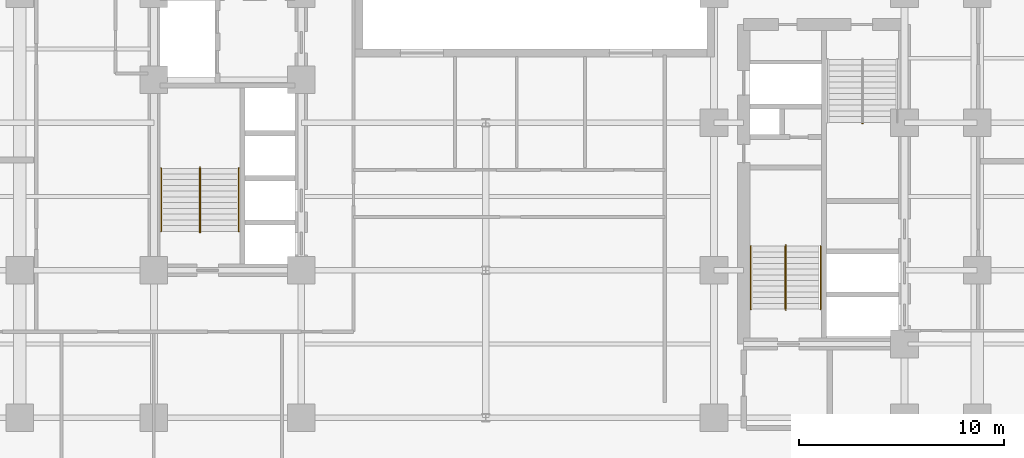
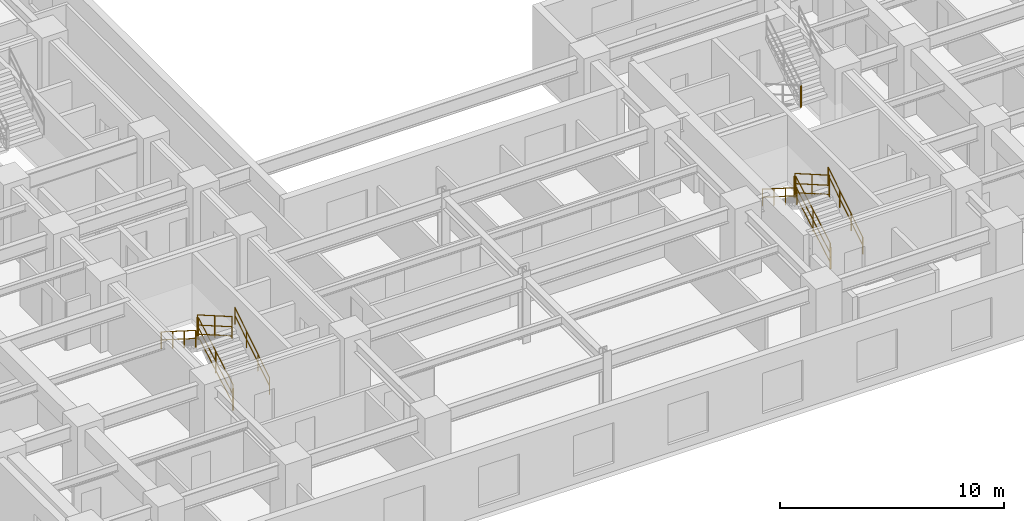
# One storey, part 8 of 10: 13 railings.
"""IFC4 building model written with IfcOpenShell, lengths in metres."""

from ifc_helpers import new_model, entity, si_unit, converted_unit, direction, frame, origin_with_axes, origin_2d_with_axis, place, context, subcontext, project, spatial, rectangle, circle, extrude, material, type_object, element, save


model = new_model("IFC4")

# Units and contexts
model_context = context("Model", 3, precision=1e-05, world=origin_with_axes(), true_north=direction((0.0, 1.0)))
body_context = subcontext(model_context, "Body", "Model", "MODEL_VIEW")
ifc_project = project(units=[si_unit("LENGTHUNIT", "METRE"), si_unit("AREAUNIT", "SQUARE_METRE"), si_unit("VOLUMEUNIT", "CUBIC_METRE"), converted_unit("PLANEANGLEUNIT", "DEGREE", entity("IfcPlaneAngleMeasure", 0.017453292519943295), si_unit("PLANEANGLEUNIT", "RADIAN"), dimensions=[0, 0, 0, 0, 0, 0, 0]), si_unit("MASSUNIT", "GRAM", prefix="KILO"), si_unit("THERMODYNAMICTEMPERATUREUNIT", "KELVIN")], contexts=[model_context])

# Site, building, storey
site_placement = place(None, origin_with_axes())
site = spatial("IfcSite", under=ifc_project, at=site_placement, CompositionType="ELEMENT")
building_placement = place(site_placement, origin_with_axes())
building = spatial("IfcBuilding", under=site, at=building_placement, Name="Varnlund Millrace Tower", CompositionType="ELEMENT")
storey_placement = place(building_placement, frame((0.0, 0.0, 75.6), z_axis=(0.0, 0.0, 1.0), x_axis=(1.0, 0.0, 0.0)))
storey = spatial("IfcBuildingStorey", under=building, at=storey_placement, Name="L18", CompositionType="ELEMENT", Elevation=75.6)

# Railings
ifc_material_1 = material(Name="Painted steel stair well balustrade guard", Category="steel")
railing_type_1 = type_object("IfcRailingType", Name="Type-StairGuard-1150", PredefinedType="GUARDRAIL", material=ifc_material_1)
railing_1_placement = place(storey_placement, frame((0.0, 0.0, -75.6), z_axis=(0.0, 0.0, 1.0), x_axis=(1.0, 0.0, 0.0)))
element("IfcRailing", 1, at=railing_1_placement, inside=storey, type_object=railing_type_1, Name="Type-StairGuard-1150", PredefinedType="GUARDRAIL", context=body_context, shape_type="SweptSolid", body=[
    extrude(circle(Radius=0.024, at=origin_2d_with_axis()), frame((13.675, 12.7, 76.927273), z_axis=(0.0, 0.866696, 0.498836), x_axis=(-1.0, 0.0, 0.0)), (0.0, 0.0, 1.0), 3.553725),
    extrude(circle(Radius=0.024, at=origin_2d_with_axis()), frame((13.675, 12.7, 75.877273), z_axis=(0.0, 0.866696, 0.498836), x_axis=(-1.0, 0.0, 0.0)), (0.0, 0.0, 1.0), 3.553725),
    extrude(circle(Radius=0.024, at=origin_2d_with_axis()), frame((13.675, 12.7, 76.375273), z_axis=(0.0, 0.866696, 0.498836), x_axis=(-1.0, 0.0, 0.0)), (0.0, 0.0, 1.0), 3.553725),
    extrude(rectangle(XDim=0.04, YDim=0.04, at=origin_2d_with_axis()), frame((13.675, 12.7, 75.737273), z_axis=(0.0, 0.0, 1.0), x_axis=(1.0, 0.0, 0.0)), (0.0, 0.0, 1.0), 1.19),
    extrude(rectangle(XDim=0.04, YDim=0.04, at=origin_2d_with_axis()), frame((13.675, 14.24, 76.623636), z_axis=(0.0, 0.0, 1.0), x_axis=(1.0, 0.0, 0.0)), (0.0, 0.0, 1.0), 1.19),
    extrude(rectangle(XDim=0.04, YDim=0.04, at=origin_2d_with_axis()), frame((13.675, 15.78, 77.51), z_axis=(0.0, 0.0, 1.0), x_axis=(1.0, 0.0, 0.0)), (0.0, 0.0, 1.0), 1.19),
])
railing_2_placement = place(storey_placement, frame((0.0, 0.0, -75.6), z_axis=(0.0, 0.0, 1.0), x_axis=(1.0, 0.0, 0.0)))
element("IfcRailing", 2, at=railing_2_placement, inside=storey, type_object=railing_type_1, Name="Type-StairGuard-1150", PredefinedType="GUARDRAIL", context=body_context, shape_type="SweptSolid", body=[
    extrude(circle(Radius=0.024, at=origin_2d_with_axis()), frame((13.625, 15.83, 78.7), z_axis=(1.0, 0.0, 0.0), x_axis=(0.0, 1.0, 0.0)), (0.0, 0.0, 1.0), 0.05),
    extrude(circle(Radius=0.024, at=origin_2d_with_axis()), frame((13.625, 15.83, 77.65), z_axis=(1.0, 0.0, 0.0), x_axis=(0.0, 1.0, 0.0)), (0.0, 0.0, 1.0), 0.05),
    extrude(circle(Radius=0.024, at=origin_2d_with_axis()), frame((13.625, 15.83, 78.148), z_axis=(1.0, 0.0, 0.0), x_axis=(0.0, 1.0, 0.0)), (0.0, 0.0, 1.0), 0.05),
    extrude(rectangle(XDim=0.04, YDim=0.04, at=origin_2d_with_axis()), frame((13.625, 15.83, 77.51), z_axis=(0.0, 0.0, 1.0), x_axis=(1.0, 0.0, 0.0)), (0.0, 0.0, 1.0), 1.19),
    extrude(rectangle(XDim=0.04, YDim=0.04, at=origin_2d_with_axis()), frame((13.675, 15.83, 77.51), z_axis=(0.0, 0.0, 1.0), x_axis=(1.0, 0.0, 0.0)), (0.0, 0.0, 1.0), 1.19),
])
railing_3_placement = place(storey_placement, frame((0.0, 0.0, -75.6), z_axis=(0.0, 0.0, 1.0), x_axis=(1.0, 0.0, 0.0)))
element("IfcRailing", 3, at=railing_3_placement, inside=storey, type_object=railing_type_1, Name="Type-StairGuard-1150", PredefinedType="GUARDRAIL", context=body_context, shape_type="SweptSolid", body=[
    extrude(circle(Radius=0.024, at=origin_2d_with_axis()), frame((13.625, 15.78, 78.877273), z_axis=(0.0, -0.866696, 0.498836), x_axis=(1.0, 0.0, 0.0)), (0.0, 0.0, 1.0), 3.553725),
    extrude(circle(Radius=0.024, at=origin_2d_with_axis()), frame((13.625, 15.78, 77.827273), z_axis=(0.0, -0.866696, 0.498836), x_axis=(1.0, 0.0, 0.0)), (0.0, 0.0, 1.0), 3.553725),
    extrude(circle(Radius=0.024, at=origin_2d_with_axis()), frame((13.625, 15.78, 78.325273), z_axis=(0.0, -0.866696, 0.498836), x_axis=(1.0, 0.0, 0.0)), (0.0, 0.0, 1.0), 3.553725),
    extrude(rectangle(XDim=0.04, YDim=0.04, at=origin_2d_with_axis()), frame((13.625, 15.78, 77.687273), z_axis=(0.0, 0.0, 1.0), x_axis=(1.0, 0.0, 0.0)), (0.0, 0.0, 1.0), 1.19),
    extrude(rectangle(XDim=0.04, YDim=0.04, at=origin_2d_with_axis()), frame((13.625, 14.24, 78.573636), z_axis=(0.0, 0.0, 1.0), x_axis=(1.0, 0.0, 0.0)), (0.0, 0.0, 1.0), 1.19),
    extrude(rectangle(XDim=0.04, YDim=0.04, at=origin_2d_with_axis()), frame((13.625, 12.7, 79.46), z_axis=(0.0, 0.0, 1.0), x_axis=(1.0, 0.0, 0.0)), (0.0, 0.0, 1.0), 1.19),
])
railing_4_placement = place(storey_placement, frame((0.0, 0.0, -75.6), z_axis=(0.0, 0.0, 1.0), x_axis=(1.0, 0.0, 0.0)))
element("IfcRailing", 4, at=railing_4_placement, inside=storey, type_object=railing_type_1, Name="Type-StairGuard-1150", PredefinedType="GUARDRAIL", context=body_context, shape_type="SweptSolid", body=[
    extrude(circle(Radius=0.024, at=origin_2d_with_axis()), frame((13.625, 12.65, 76.75), z_axis=(1.0, 0.0, 0.0), x_axis=(0.0, 1.0, 0.0)), (0.0, 0.0, 1.0), 0.05),
    extrude(circle(Radius=0.024, at=origin_2d_with_axis()), frame((13.625, 12.65, 75.7), z_axis=(1.0, 0.0, 0.0), x_axis=(0.0, 1.0, 0.0)), (0.0, 0.0, 1.0), 0.05),
    extrude(circle(Radius=0.024, at=origin_2d_with_axis()), frame((13.625, 12.65, 76.198), z_axis=(1.0, 0.0, 0.0), x_axis=(0.0, 1.0, 0.0)), (0.0, 0.0, 1.0), 0.05),
    extrude(rectangle(XDim=0.04, YDim=0.04, at=origin_2d_with_axis()), frame((13.625, 12.65, 75.56), z_axis=(0.0, 0.0, 1.0), x_axis=(1.0, 0.0, 0.0)), (0.0, 0.0, 1.0), 1.19),
    extrude(rectangle(XDim=0.04, YDim=0.04, at=origin_2d_with_axis()), frame((13.675, 12.65, 75.56), z_axis=(0.0, 0.0, 1.0), x_axis=(1.0, 0.0, 0.0)), (0.0, 0.0, 1.0), 1.19),
])
railing_5_placement = place(storey_placement, frame((0.0, 0.0, -75.6), z_axis=(0.0, 0.0, 1.0), x_axis=(1.0, 0.0, 0.0)))
element("IfcRailing", 5, at=railing_5_placement, inside=storey, type_object=railing_type_1, Name="Type-StairGuard-1150", PredefinedType="GUARDRAIL", context=body_context, shape_type="SweptSolid", body=[
    extrude(circle(Radius=0.024, at=origin_2d_with_axis()), frame((42.275, 8.9, 76.927273), z_axis=(0.0, 0.866696, 0.498836), x_axis=(-1.0, 0.0, 0.0)), (0.0, 0.0, 1.0), 3.553725),
    extrude(circle(Radius=0.024, at=origin_2d_with_axis()), frame((42.275, 8.9, 75.877273), z_axis=(0.0, 0.866696, 0.498836), x_axis=(-1.0, 0.0, 0.0)), (0.0, 0.0, 1.0), 3.553725),
    extrude(circle(Radius=0.024, at=origin_2d_with_axis()), frame((42.275, 8.9, 76.375273), z_axis=(0.0, 0.866696, 0.498836), x_axis=(-1.0, 0.0, 0.0)), (0.0, 0.0, 1.0), 3.553725),
    extrude(rectangle(XDim=0.04, YDim=0.04, at=origin_2d_with_axis()), frame((42.275, 8.9, 75.737273), z_axis=(0.0, 0.0, 1.0), x_axis=(1.0, 0.0, 0.0)), (0.0, 0.0, 1.0), 1.19),
    extrude(rectangle(XDim=0.04, YDim=0.04, at=origin_2d_with_axis()), frame((42.275, 10.44, 76.623636), z_axis=(0.0, 0.0, 1.0), x_axis=(1.0, 0.0, 0.0)), (0.0, 0.0, 1.0), 1.19),
    extrude(rectangle(XDim=0.04, YDim=0.04, at=origin_2d_with_axis()), frame((42.275, 11.98, 77.51), z_axis=(0.0, 0.0, 1.0), x_axis=(1.0, 0.0, 0.0)), (0.0, 0.0, 1.0), 1.19),
])
railing_6_placement = place(storey_placement, frame((0.0, 0.0, -75.6), z_axis=(0.0, 0.0, 1.0), x_axis=(1.0, 0.0, 0.0)))
element("IfcRailing", 6, at=railing_6_placement, inside=storey, type_object=railing_type_1, Name="Type-StairGuard-1150", PredefinedType="GUARDRAIL", context=body_context, shape_type="SweptSolid", body=[
    extrude(circle(Radius=0.024, at=origin_2d_with_axis()), frame((42.225, 12.03, 78.7), z_axis=(1.0, 0.0, 0.0), x_axis=(0.0, 1.0, 0.0)), (0.0, 0.0, 1.0), 0.05),
    extrude(circle(Radius=0.024, at=origin_2d_with_axis()), frame((42.225, 12.03, 77.65), z_axis=(1.0, 0.0, 0.0), x_axis=(0.0, 1.0, 0.0)), (0.0, 0.0, 1.0), 0.05),
    extrude(circle(Radius=0.024, at=origin_2d_with_axis()), frame((42.225, 12.03, 78.148), z_axis=(1.0, 0.0, 0.0), x_axis=(0.0, 1.0, 0.0)), (0.0, 0.0, 1.0), 0.05),
    extrude(rectangle(XDim=0.04, YDim=0.04, at=origin_2d_with_axis()), frame((42.225, 12.03, 77.51), z_axis=(0.0, 0.0, 1.0), x_axis=(1.0, 0.0, 0.0)), (0.0, 0.0, 1.0), 1.19),
    extrude(rectangle(XDim=0.04, YDim=0.04, at=origin_2d_with_axis()), frame((42.275, 12.03, 77.51), z_axis=(0.0, 0.0, 1.0), x_axis=(1.0, 0.0, 0.0)), (0.0, 0.0, 1.0), 1.19),
])
railing_7_placement = place(storey_placement, frame((0.0, 0.0, -75.6), z_axis=(0.0, 0.0, 1.0), x_axis=(1.0, 0.0, 0.0)))
element("IfcRailing", 7, at=railing_7_placement, inside=storey, type_object=railing_type_1, Name="Type-StairGuard-1150", PredefinedType="GUARDRAIL", context=body_context, shape_type="SweptSolid", body=[
    extrude(circle(Radius=0.024, at=origin_2d_with_axis()), frame((42.225, 11.98, 78.877273), z_axis=(0.0, -0.866696, 0.498836), x_axis=(1.0, 0.0, 0.0)), (0.0, 0.0, 1.0), 3.553725),
    extrude(circle(Radius=0.024, at=origin_2d_with_axis()), frame((42.225, 11.98, 77.827273), z_axis=(0.0, -0.866696, 0.498836), x_axis=(1.0, 0.0, 0.0)), (0.0, 0.0, 1.0), 3.553725),
    extrude(circle(Radius=0.024, at=origin_2d_with_axis()), frame((42.225, 11.98, 78.325273), z_axis=(0.0, -0.866696, 0.498836), x_axis=(1.0, 0.0, 0.0)), (0.0, 0.0, 1.0), 3.553725),
    extrude(rectangle(XDim=0.04, YDim=0.04, at=origin_2d_with_axis()), frame((42.225, 11.98, 77.687273), z_axis=(0.0, 0.0, 1.0), x_axis=(1.0, 0.0, 0.0)), (0.0, 0.0, 1.0), 1.19),
    extrude(rectangle(XDim=0.04, YDim=0.04, at=origin_2d_with_axis()), frame((42.225, 10.44, 78.573636), z_axis=(0.0, 0.0, 1.0), x_axis=(1.0, 0.0, 0.0)), (0.0, 0.0, 1.0), 1.19),
    extrude(rectangle(XDim=0.04, YDim=0.04, at=origin_2d_with_axis()), frame((42.225, 8.9, 79.46), z_axis=(0.0, 0.0, 1.0), x_axis=(1.0, 0.0, 0.0)), (0.0, 0.0, 1.0), 1.19),
])
railing_8_placement = place(storey_placement, frame((0.0, 0.0, -75.6), z_axis=(0.0, 0.0, 1.0), x_axis=(1.0, 0.0, 0.0)))
element("IfcRailing", 8, at=railing_8_placement, inside=storey, type_object=railing_type_1, Name="Type-StairGuard-1150", PredefinedType="GUARDRAIL", context=body_context, shape_type="SweptSolid", body=[
    extrude(circle(Radius=0.024, at=origin_2d_with_axis()), frame((42.225, 8.85, 76.75), z_axis=(1.0, 0.0, 0.0), x_axis=(0.0, 1.0, 0.0)), (0.0, 0.0, 1.0), 0.05),
    extrude(circle(Radius=0.024, at=origin_2d_with_axis()), frame((42.225, 8.85, 75.7), z_axis=(1.0, 0.0, 0.0), x_axis=(0.0, 1.0, 0.0)), (0.0, 0.0, 1.0), 0.05),
    extrude(circle(Radius=0.024, at=origin_2d_with_axis()), frame((42.225, 8.85, 76.198), z_axis=(1.0, 0.0, 0.0), x_axis=(0.0, 1.0, 0.0)), (0.0, 0.0, 1.0), 0.05),
    extrude(rectangle(XDim=0.04, YDim=0.04, at=origin_2d_with_axis()), frame((42.225, 8.85, 75.56), z_axis=(0.0, 0.0, 1.0), x_axis=(1.0, 0.0, 0.0)), (0.0, 0.0, 1.0), 1.19),
    extrude(rectangle(XDim=0.04, YDim=0.04, at=origin_2d_with_axis()), frame((42.275, 8.85, 75.56), z_axis=(0.0, 0.0, 1.0), x_axis=(1.0, 0.0, 0.0)), (0.0, 0.0, 1.0), 1.19),
])
railing_9_placement = place(storey_placement, frame((0.0, 0.0, -75.6), z_axis=(0.0, 0.0, 1.0), x_axis=(1.0, 0.0, 0.0)))
element("IfcRailing", 9, at=railing_9_placement, inside=storey, type_object=railing_type_1, Name="Type-StairGuard-1150", PredefinedType="GUARDRAIL", context=body_context, shape_type="SweptSolid", body=[
    extrude(circle(Radius=0.024, at=origin_2d_with_axis()), frame((46.025, 17.97, 78.7), z_axis=(-1.0, 0.0, 0.0), x_axis=(0.0, -1.0, 0.0)), (0.0, 0.0, 1.0), 0.05),
    extrude(circle(Radius=0.024, at=origin_2d_with_axis()), frame((46.025, 17.97, 77.65), z_axis=(-1.0, 0.0, 0.0), x_axis=(0.0, -1.0, 0.0)), (0.0, 0.0, 1.0), 0.05),
    extrude(circle(Radius=0.024, at=origin_2d_with_axis()), frame((46.025, 17.97, 78.148), z_axis=(-1.0, 0.0, 0.0), x_axis=(0.0, -1.0, 0.0)), (0.0, 0.0, 1.0), 0.05),
    extrude(rectangle(XDim=0.04, YDim=0.04, at=origin_2d_with_axis()), frame((46.025, 17.97, 77.51), z_axis=(0.0, 0.0, 1.0), x_axis=(1.0, 0.0, 0.0)), (0.0, 0.0, 1.0), 1.19),
    extrude(rectangle(XDim=0.04, YDim=0.04, at=origin_2d_with_axis()), frame((45.975, 17.97, 77.51), z_axis=(0.0, 0.0, 1.0), x_axis=(1.0, 0.0, 0.0)), (0.0, 0.0, 1.0), 1.19),
])
ifc_material_2 = material(Name="Brushed architectural bronze stair handrail", Category="aluminium")
railing_type_2 = type_object("IfcRailingType", Name="Type-StairHandrail-900", PredefinedType="HANDRAIL", material=ifc_material_2)
railing_10_placement = place(storey_placement, frame((0.0, 0.0, -75.6), z_axis=(0.0, 0.0, 1.0), x_axis=(1.0, 0.0, 0.0)))
element("IfcRailing", 10, at=railing_10_placement, inside=storey, type_object=railing_type_2, Name="Type-StairHandrail-900", PredefinedType="HANDRAIL", context=body_context, shape_type="SweptSolid", body=[
    extrude(circle(Radius=0.024, at=origin_2d_with_axis()), frame((15.55, 12.7, 76.656995), z_axis=(0.0, 0.844902, 0.534922), x_axis=(-1.0, 0.0, 0.0)), (0.0, 0.0, 1.0), 3.645394),
    extrude(circle(Radius=0.024, at=origin_2d_with_axis()), frame((15.55, 12.7, 76.217134), z_axis=(0.0, 0.844902, 0.534922), x_axis=(-1.0, 0.0, 0.0)), (0.0, 0.0, 1.0), 3.645394),
    extrude(rectangle(XDim=0.04, YDim=0.04, at=origin_2d_with_axis()), frame((15.55, 12.7, 75.737273), z_axis=(0.0, 0.0, 1.0), x_axis=(1.0, 0.0, 0.0)), (0.0, 0.0, 1.0), 0.919722),
    extrude(rectangle(XDim=0.04, YDim=0.04, at=origin_2d_with_axis()), frame((15.55, 13.726667, 76.387273), z_axis=(0.0, 0.0, 1.0), x_axis=(1.0, 0.0, 0.0)), (0.0, 0.0, 1.0), 0.919722),
    extrude(rectangle(XDim=0.04, YDim=0.04, at=origin_2d_with_axis()), frame((15.55, 14.753333, 77.037273), z_axis=(0.0, 0.0, 1.0), x_axis=(1.0, 0.0, 0.0)), (0.0, 0.0, 1.0), 0.919722),
    extrude(rectangle(XDim=0.04, YDim=0.04, at=origin_2d_with_axis()), frame((15.55, 15.78, 77.687273), z_axis=(0.0, 0.0, 1.0), x_axis=(1.0, 0.0, 0.0)), (0.0, 0.0, 1.0), 0.919722),
])
railing_11_placement = place(storey_placement, frame((0.0, 0.0, -75.6), z_axis=(0.0, 0.0, 1.0), x_axis=(1.0, 0.0, 0.0)))
element("IfcRailing", 11, at=railing_11_placement, inside=storey, type_object=railing_type_2, Name="Type-StairHandrail-900", PredefinedType="HANDRAIL", context=body_context, shape_type="SweptSolid", body=[
    extrude(circle(Radius=0.024, at=origin_2d_with_axis()), frame((11.75, 15.78, 78.606995), z_axis=(0.0, -0.844902, 0.534922), x_axis=(1.0, 0.0, 0.0)), (0.0, 0.0, 1.0), 3.645394),
    extrude(circle(Radius=0.024, at=origin_2d_with_axis()), frame((11.75, 15.78, 78.167134), z_axis=(0.0, -0.844902, 0.534922), x_axis=(1.0, 0.0, 0.0)), (0.0, 0.0, 1.0), 3.645394),
    extrude(rectangle(XDim=0.04, YDim=0.04, at=origin_2d_with_axis()), frame((11.75, 15.78, 77.687273), z_axis=(0.0, 0.0, 1.0), x_axis=(1.0, 0.0, 0.0)), (0.0, 0.0, 1.0), 0.919722),
    extrude(rectangle(XDim=0.04, YDim=0.04, at=origin_2d_with_axis()), frame((11.75, 14.753333, 78.337273), z_axis=(0.0, 0.0, 1.0), x_axis=(1.0, 0.0, 0.0)), (0.0, 0.0, 1.0), 0.919722),
    extrude(rectangle(XDim=0.04, YDim=0.04, at=origin_2d_with_axis()), frame((11.75, 13.726667, 78.987273), z_axis=(0.0, 0.0, 1.0), x_axis=(1.0, 0.0, 0.0)), (0.0, 0.0, 1.0), 0.919722),
    extrude(rectangle(XDim=0.04, YDim=0.04, at=origin_2d_with_axis()), frame((11.75, 12.7, 79.637273), z_axis=(0.0, 0.0, 1.0), x_axis=(1.0, 0.0, 0.0)), (0.0, 0.0, 1.0), 0.919722),
])
railing_12_placement = place(storey_placement, frame((0.0, 0.0, -75.6), z_axis=(0.0, 0.0, 1.0), x_axis=(1.0, 0.0, 0.0)))
element("IfcRailing", 12, at=railing_12_placement, inside=storey, type_object=railing_type_2, Name="Type-StairHandrail-900", PredefinedType="HANDRAIL", context=body_context, shape_type="SweptSolid", body=[
    extrude(circle(Radius=0.024, at=origin_2d_with_axis()), frame((43.95, 8.9, 76.656995), z_axis=(0.0, 0.844902, 0.534922), x_axis=(-1.0, 0.0, 0.0)), (0.0, 0.0, 1.0), 3.645394),
    extrude(circle(Radius=0.024, at=origin_2d_with_axis()), frame((43.95, 8.9, 76.217134), z_axis=(0.0, 0.844902, 0.534922), x_axis=(-1.0, 0.0, 0.0)), (0.0, 0.0, 1.0), 3.645394),
    extrude(rectangle(XDim=0.04, YDim=0.04, at=origin_2d_with_axis()), frame((43.95, 8.9, 75.737273), z_axis=(0.0, 0.0, 1.0), x_axis=(1.0, 0.0, 0.0)), (0.0, 0.0, 1.0), 0.919722),
    extrude(rectangle(XDim=0.04, YDim=0.04, at=origin_2d_with_axis()), frame((43.95, 9.926667, 76.387273), z_axis=(0.0, 0.0, 1.0), x_axis=(1.0, 0.0, 0.0)), (0.0, 0.0, 1.0), 0.919722),
    extrude(rectangle(XDim=0.04, YDim=0.04, at=origin_2d_with_axis()), frame((43.95, 10.953333, 77.037273), z_axis=(0.0, 0.0, 1.0), x_axis=(1.0, 0.0, 0.0)), (0.0, 0.0, 1.0), 0.919722),
    extrude(rectangle(XDim=0.04, YDim=0.04, at=origin_2d_with_axis()), frame((43.95, 11.98, 77.687273), z_axis=(0.0, 0.0, 1.0), x_axis=(1.0, 0.0, 0.0)), (0.0, 0.0, 1.0), 0.919722),
])
railing_13_placement = place(storey_placement, frame((0.0, 0.0, -75.6), z_axis=(0.0, 0.0, 1.0), x_axis=(1.0, 0.0, 0.0)))
element("IfcRailing", 13, at=railing_13_placement, inside=storey, type_object=railing_type_2, Name="Type-StairHandrail-900", PredefinedType="HANDRAIL", context=body_context, shape_type="SweptSolid", body=[
    extrude(circle(Radius=0.024, at=origin_2d_with_axis()), frame((40.55, 11.98, 78.606995), z_axis=(0.0, -0.844902, 0.534922), x_axis=(1.0, 0.0, 0.0)), (0.0, 0.0, 1.0), 3.645394),
    extrude(circle(Radius=0.024, at=origin_2d_with_axis()), frame((40.55, 11.98, 78.167134), z_axis=(0.0, -0.844902, 0.534922), x_axis=(1.0, 0.0, 0.0)), (0.0, 0.0, 1.0), 3.645394),
    extrude(rectangle(XDim=0.04, YDim=0.04, at=origin_2d_with_axis()), frame((40.55, 11.98, 77.687273), z_axis=(0.0, 0.0, 1.0), x_axis=(1.0, 0.0, 0.0)), (0.0, 0.0, 1.0), 0.919722),
    extrude(rectangle(XDim=0.04, YDim=0.04, at=origin_2d_with_axis()), frame((40.55, 10.953333, 78.337273), z_axis=(0.0, 0.0, 1.0), x_axis=(1.0, 0.0, 0.0)), (0.0, 0.0, 1.0), 0.919722),
    extrude(rectangle(XDim=0.04, YDim=0.04, at=origin_2d_with_axis()), frame((40.55, 9.926667, 78.987273), z_axis=(0.0, 0.0, 1.0), x_axis=(1.0, 0.0, 0.0)), (0.0, 0.0, 1.0), 0.919722),
    extrude(rectangle(XDim=0.04, YDim=0.04, at=origin_2d_with_axis()), frame((40.55, 8.9, 79.637273), z_axis=(0.0, 0.0, 1.0), x_axis=(1.0, 0.0, 0.0)), (0.0, 0.0, 1.0), 0.919722),
])

save(model, "model.ifc")
